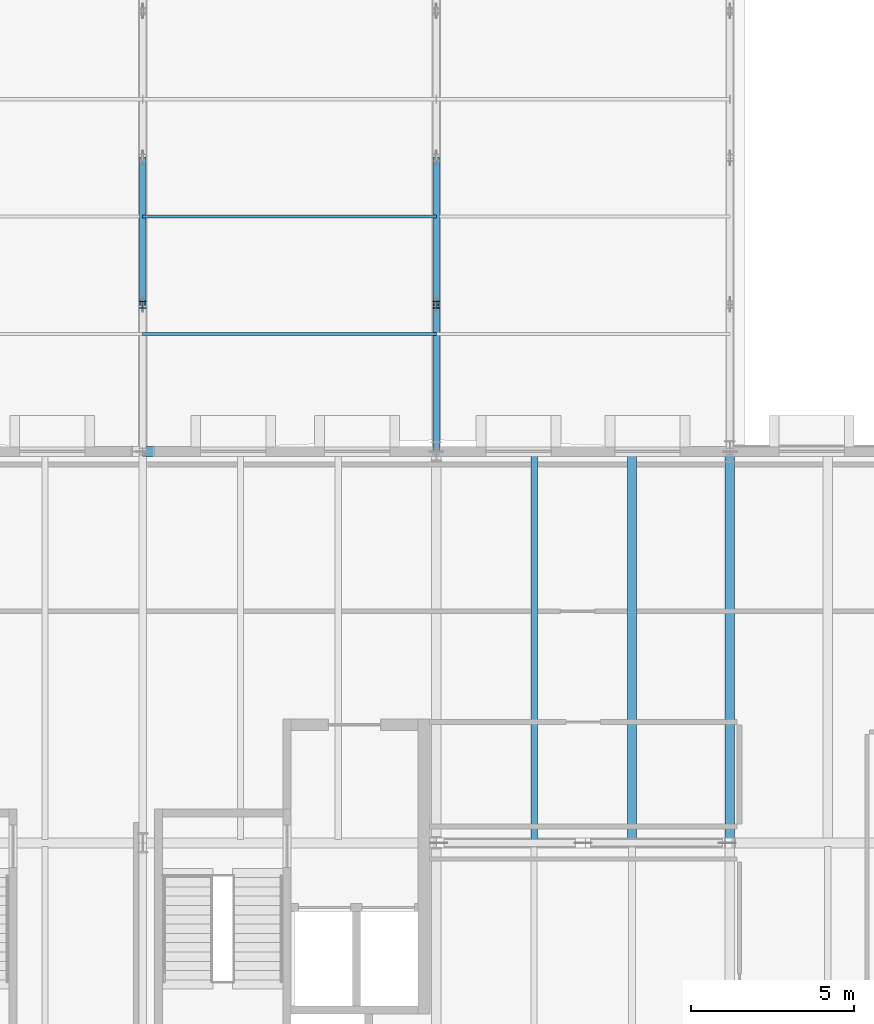
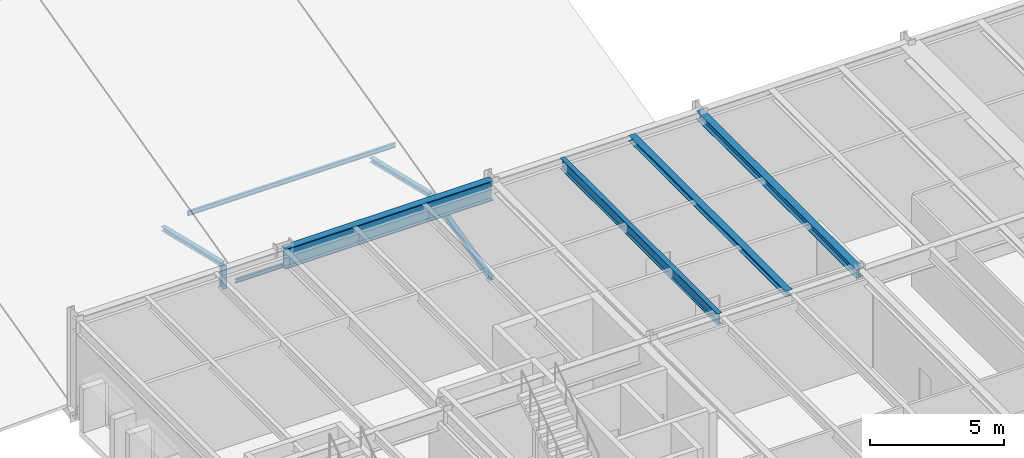
# One storey, part 13 of 67: 7 members, 4 beams.
"""IFC4 building model written with IfcOpenShell, lengths in metres."""

from ifc_helpers import new_model, si_unit, direction, frame, origin, origin_2d, place, context, subcontext, project, spatial, i_section, extrude, material, material_profile, profile_set, type_object, element, save


model = new_model("IFC4")

# Units and contexts
model_context = context("Model", 3, precision=1e-05, world=origin(), true_north=direction((0.0, 1.0)))
body_context = subcontext(model_context, "Body", "Model", "MODEL_VIEW")
ifc_project = project(units=[si_unit("LENGTHUNIT", "METRE"), si_unit("AREAUNIT", "SQUARE_METRE"), si_unit("VOLUMEUNIT", "CUBIC_METRE"), si_unit("PLANEANGLEUNIT", "RADIAN"), si_unit("MASSUNIT", "GRAM", prefix="KILO")], contexts=[model_context])

# Site, building, storey
site_placement = place(None, origin())
site = spatial("IfcSite", under=ifc_project, at=site_placement, CompositionType="ELEMENT")
building_placement = place(site_placement, origin())
building = spatial("IfcBuilding", under=site, at=building_placement, Name="Montelvaro Courts of Justice", CompositionType="ELEMENT")
storey_placement = place(building_placement, frame((0.0, 0.0, 18.89990234375)))
storey = spatial("IfcBuildingStorey", under=building, at=storey_placement, Name="L04", CompositionType="ELEMENT", Elevation=18.89990234375)

# Beams
ifc_material = material(Name="Steel S355", Category="steel")
ifc_material_profile_1 = material_profile(ifc_material, i_section(OverallWidth=0.280029296875, OverallDepth=0.27001953125, WebThickness=0.008056640625, FlangeThickness=0.012939453125, at=origin_2d()), Name="HEA 280")
ifc_profile_set_1 = profile_set([ifc_material_profile_1], Name="Steel S355")
beam_type_1 = type_object("IfcBeamType", Name="Beam_HEA280", PredefinedType="BEAM", material=ifc_profile_set_1)
beam_1_placement = place(storey_placement, frame((69.0, 12.110107421875, 4.125), z_axis=(0.0, 1.0, 0.0), x_axis=(-1.0, 0.0, 0.0)))
element("IfcBeam", 1, at=beam_1_placement, inside=storey, type_object=beam_type_1, Name="Beam B-14 L04", PredefinedType="BEAM", context=body_context, shape_type="SweptSolid", body=[
    extrude(i_section(OverallWidth=0.280029296875, OverallDepth=0.27001953125, WebThickness=0.008056640625, FlangeThickness=0.012939453125, at=origin_2d()), origin(), (0.0, 0.0, 1.0), 11.77978515625),
])
ifc_material_profile_2 = material_profile(ifc_material, i_section(OverallWidth=0.300048828125, OverallDepth=0.389892578125, WebThickness=0.010986328125, FlangeThickness=0.01904296875, at=origin_2d()), Name="HEA 400")
ifc_profile_set_2 = profile_set([ifc_material_profile_2], Name="Steel S355")
beam_type_2 = type_object("IfcBeamType", Name="Beam_HEA400", PredefinedType="USERDEFINED", material=ifc_profile_set_2)
beam_2_placement = place(storey_placement, frame((72.0, 12.0, 4.065185546875), z_axis=(0.0, 1.0, 0.0), x_axis=(-1.0, 0.0, 0.0)))
element("IfcBeam", 2, at=beam_2_placement, inside=storey, type_object=beam_type_2, Name="Beam B-17 L04", ObjectType="GIRDER", PredefinedType="USERDEFINED", context=body_context, shape_type="SweptSolid", body=[
    extrude(i_section(OverallWidth=0.300048828125, OverallDepth=0.389892578125, WebThickness=0.010986328125, FlangeThickness=0.01904296875, at=origin_2d()), origin(), (0.0, 0.0, 1.0), 12.0),
])
ifc_material_profile_3 = material_profile(ifc_material, i_section(OverallWidth=0.302001953125, OverallDepth=0.909912109375, WebThickness=0.02099609375, FlangeThickness=0.0400390625, at=origin_2d()), Name="HEM 900")
ifc_profile_set_3 = profile_set([ifc_material_profile_3], Name="Steel S355")
beam_type_3 = type_object("IfcBeamType", Name="Beam_HEM900", PredefinedType="USERDEFINED", material=ifc_profile_set_3)
beam_3_placement = place(storey_placement, frame((54.0, 24.0, 3.80517578125), z_axis=(1.0, 0.0, 0.0), x_axis=(0.0, 1.0, 0.0)))
element("IfcBeam", 3, at=beam_3_placement, inside=storey, type_object=beam_type_3, Name="Beam B-31 L04", ObjectType="GIRDER", PredefinedType="USERDEFINED", context=body_context, shape_type="SweptSolid", body=[
    extrude(i_section(OverallWidth=0.302001953125, OverallDepth=0.909912109375, WebThickness=0.02099609375, FlangeThickness=0.0400390625, at=origin_2d()), origin(), (0.0, 0.0, 1.0), 9.0),
])
ifc_material_profile_4 = material_profile(ifc_material, i_section(OverallWidth=0.199951171875, OverallDepth=0.5, WebThickness=0.01025390625, FlangeThickness=0.01611328125, at=origin_2d()), Name="IPE 500")
ifc_profile_set_4 = profile_set([ifc_material_profile_4], Name="Steel S355")
beam_type_4 = type_object("IfcBeamType", Name="Beam_IPE500", PredefinedType="BEAM", material=ifc_profile_set_4)
beam_4_placement = place(storey_placement, frame((66.0, 12.110107421875, 4.010009765625), z_axis=(0.0, 1.0, 0.0), x_axis=(-1.0, 0.0, 0.0)))
element("IfcBeam", 4, at=beam_4_placement, inside=storey, type_object=beam_type_4, Name="Beam B-10 L04", PredefinedType="BEAM", context=body_context, shape_type="SweptSolid", body=[
    extrude(i_section(OverallWidth=0.199951171875, OverallDepth=0.5, WebThickness=0.01025390625, FlangeThickness=0.01611328125, at=origin_2d()), origin(), (0.0, 0.0, 1.0), 11.77978515625),
])

# Members
ifc_material_profile_5 = material_profile(ifc_material, i_section(OverallWidth=0.199951171875, OverallDepth=0.18994140625, WebThickness=0.006591796875, FlangeThickness=0.010009765625, at=origin_2d()), Name="HEA 200")
ifc_profile_set_5 = profile_set([ifc_material_profile_5], Name="Steel S355")
member_type_1 = type_object("IfcMemberType", Name="Mem_HEA200_Brace", PredefinedType="BRACE", material=ifc_profile_set_5)
for number, where, z_axis, x_axis, name in (
    (5, (54.0, 28.5, 0.775146484375), (0.0, 0.97263439265, -0.232340995597), (-1.0, 0.0, 0.0), "Roof Truss Web MB-02 ROOF-V3-VTR05-W2"),
    (6, (63.0, 24.0, -0.2998046875), (0.0, 0.97263439265, 0.232340995597), (-1.0, 0.0, 0.0), "Roof Truss Web MB-02 ROOF-V3-VTR06-W1"),
    (7, (63.0, 28.5, 0.775146484375), (0.0, 0.97263439265, -0.232340995597), (-1.0, 0.0, 0.0), "Roof Truss Web MB-02 ROOF-V3-VTR06-W2"),
):
    element("IfcMember", number, at=place(storey_placement, frame(where, z_axis=z_axis, x_axis=x_axis)), inside=storey, type_object=member_type_1, Name=name, PredefinedType="BRACE", context=body_context, shape_type="SweptSolid", body=[
        extrude(i_section(OverallWidth=0.199951171875, OverallDepth=0.18994140625, WebThickness=0.006591796875, FlangeThickness=0.010009765625, at=origin_2d()), origin(), (0.0, 0.0, 1.0), 4.626708984375),
    ])
ifc_material_profile_6 = material_profile(ifc_material, i_section(OverallWidth=0.219970703125, OverallDepth=0.2099609375, WebThickness=0.007080078125, FlangeThickness=0.010986328125, at=origin_2d()), Name="HEA 220")
ifc_profile_set_6 = profile_set([ifc_material_profile_6], Name="Steel S355")
member_type_2 = type_object("IfcMemberType", Name="Mem_HEA220_Post", PredefinedType="POST", material=ifc_profile_set_6)
for number, where, z_axis, x_axis, name in (
    (8, (54.0, 28.5, -0.2998046875), (0.0, 0.0, 1.0), (1.0, 0.0, 0.0), "Roof Truss Post MP-03 ROOF-V3-VTR05-V1"),
    (9, (63.0, 28.5, -0.2998046875), (0.0, 0.0, 1.0), (1.0, 0.0, 0.0), "Roof Truss Post MP-03 ROOF-V3-VTR06-V1"),
):
    element("IfcMember", number, at=place(storey_placement, frame(where, z_axis=z_axis, x_axis=x_axis)), inside=storey, type_object=member_type_2, Name=name, PredefinedType="POST", context=body_context, shape_type="SweptSolid", body=[
        extrude(i_section(OverallWidth=0.219970703125, OverallDepth=0.2099609375, WebThickness=0.007080078125, FlangeThickness=0.010986328125, at=origin_2d()), origin(), (0.0, 0.0, 1.0), 1.074951171875),
    ])
ifc_material_profile_7 = material_profile(ifc_material, i_section(OverallWidth=0.091064453125, OverallDepth=0.179931640625, WebThickness=0.00537109375, FlangeThickness=0.008056640625, at=origin_2d()), Name="IPE 180")
ifc_profile_set_7 = profile_set([ifc_material_profile_7], Name="Steel S355")
member_type_3 = type_object("IfcMemberType", Name="Mem_IPE180_Purlin", PredefinedType="PURLIN", material=ifc_profile_set_7)
member_1_placement = place(storey_placement, frame((54.0, 27.60009765625, 0.550048828125), z_axis=(1.0, 0.0, 0.0), x_axis=(0.0, 1.0, 0.0)))
element("IfcMember", 10, at=member_1_placement, inside=storey, type_object=member_type_3, Name="Roof Purlin MR-01 ROOF-V3-PRL-05-1M", PredefinedType="PURLIN", context=body_context, shape_type="SweptSolid", body=[
    extrude(i_section(OverallWidth=0.091064453125, OverallDepth=0.179931640625, WebThickness=0.00537109375, FlangeThickness=0.008056640625, at=origin_2d()), origin(), (0.0, 0.0, 1.0), 9.0),
])
ifc_material_profile_8 = material_profile(ifc_material, i_section(OverallWidth=0.10009765625, OverallDepth=0.199951171875, WebThickness=0.005615234375, FlangeThickness=0.008544921875, at=origin_2d()), Name="IPE 200")
ifc_profile_set_8 = profile_set([ifc_material_profile_8], Name="Steel S355")
member_type_4 = type_object("IfcMemberType", Name="Mem_IPE200_Purlin", PredefinedType="PURLIN", material=ifc_profile_set_8)
member_2_placement = place(storey_placement, frame((54.0, 31.199951171875, 1.4501953125), z_axis=(1.0, 0.0, 0.0), x_axis=(0.0, 1.0, 0.0)))
element("IfcMember", 11, at=member_2_placement, inside=storey, type_object=member_type_4, Name="Roof Purlin MR-02 ROOF-V3-PRL-05-2M", PredefinedType="PURLIN", context=body_context, shape_type="SweptSolid", body=[
    extrude(i_section(OverallWidth=0.10009765625, OverallDepth=0.199951171875, WebThickness=0.005615234375, FlangeThickness=0.008544921875, at=origin_2d()), origin(), (0.0, 0.0, 1.0), 9.0),
])

save(model, "model.ifc")
